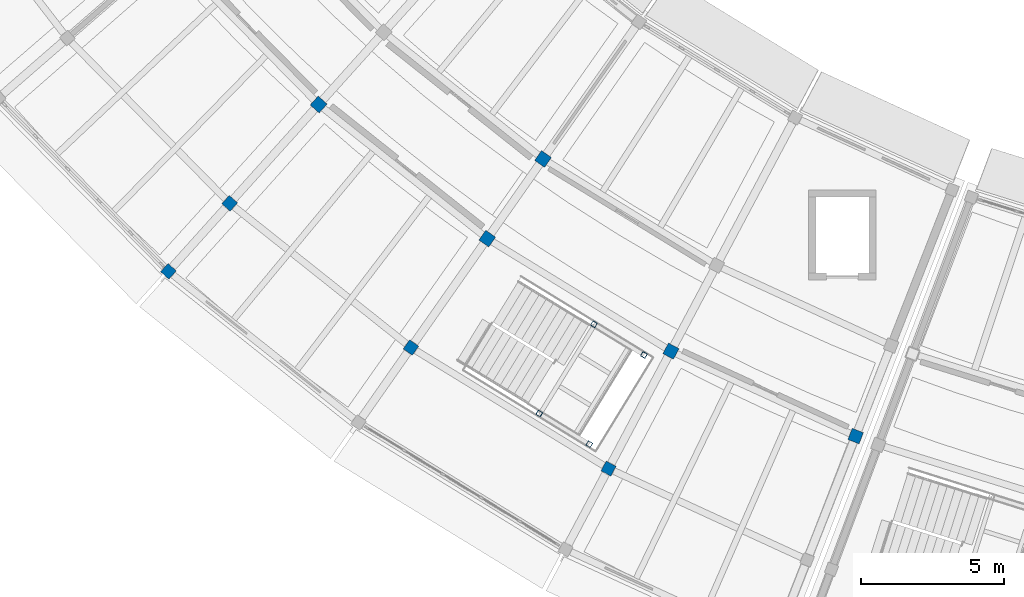
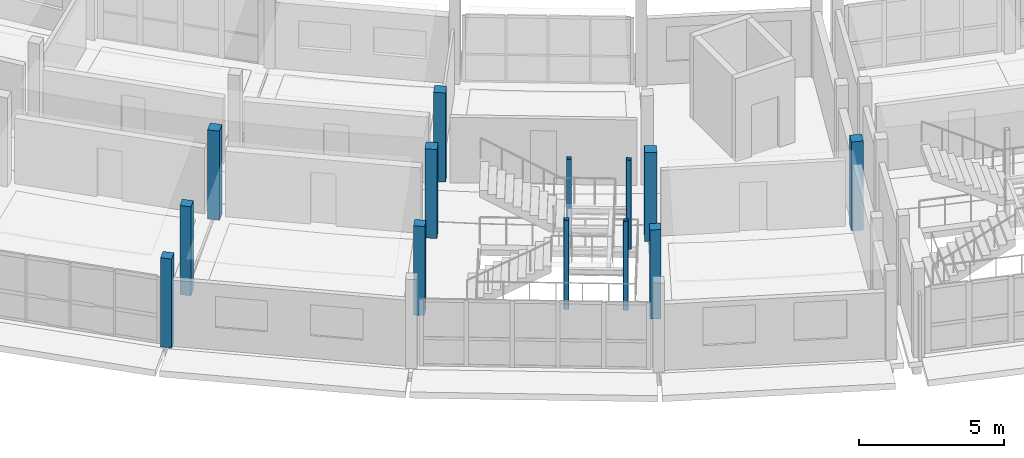
# One storey, part 5 of 77: 13 columns.
"""IFC4 building model written with IfcOpenShell, lengths in metres."""

from ifc_helpers import new_model, si_unit, direction, frame, origin, origin_2d, place, context, subcontext, project, spatial, rectangle, hollow_rectangle, extrude, material, material_profile, profile_set, type_object, element, save


model = new_model("IFC4")

# Units and contexts
model_context = context("Model", 3, precision=1e-05, world=origin(), true_north=direction((0.0, 1.0)))
body_context = subcontext(model_context, "Body", "Model", "MODEL_VIEW")
ifc_project = project(units=[si_unit("LENGTHUNIT", "METRE"), si_unit("AREAUNIT", "SQUARE_METRE"), si_unit("VOLUMEUNIT", "CUBIC_METRE"), si_unit("PLANEANGLEUNIT", "RADIAN"), si_unit("MASSUNIT", "GRAM", prefix="KILO")], contexts=[model_context])

# Site, building, storey
site_placement = place(None, origin())
site = spatial("IfcSite", under=ifc_project, at=site_placement, CompositionType="ELEMENT")
building_placement = place(site_placement, origin())
building = spatial("IfcBuilding", under=site, at=building_placement, Name="Caldaven Crescent School", CompositionType="ELEMENT")
storey_placement = place(building_placement, frame((0.0, 0.0, 4.419921875)))
storey = spatial("IfcBuildingStorey", under=building, at=storey_placement, Name="L01", CompositionType="ELEMENT", Elevation=4.419921875)

# Columns
ifc_material_1 = material(Name="Glulam MLE24h (GL28h)", Category="wood")
ifc_material_profile_1 = material_profile(ifc_material_1, rectangle(XDim=0.389892578125, YDim=0.389892578125, at=origin_2d()), Name="MLE 390x390")
ifc_profile_set_1 = profile_set([ifc_material_profile_1], Name="Glulam MLE24h (GL28h)")
column_type_1 = type_object("IfcColumnType", Name="COL-GL39", PredefinedType="COLUMN", material=ifc_profile_set_1)
for number, where, z_axis, x_axis, name in (
    (1, (43.603271484375, 46.6923828125, 0.0), (0.0, 0.0, 1.0), (-0.669130606359, -0.743144825477, 0.0), "COL-V4W-L01-02-3"),
    (2, (41.4619140625, 44.314208984375, 0.0), (0.0, 0.0, 1.0), (-0.669130606359, -0.743144825477, 0.0), "COL-V4W-L01-02-4"),
    (3, (49.943115234375, 41.649169921875, 0.0), (0.0, 0.0, 1.0), (-0.573576436351, -0.819152044289, 0.0), "COL-V4W-L01-03-3"),
    (4, (56.8505859375, 37.41650390625, 0.0), (0.0, 0.0, 1.0), (-0.469471562786, -0.882947592859, 0.0), "COL-V4W-L01-04-3"),
):
    element("IfcColumn", number, at=place(storey_placement, frame(where, z_axis=z_axis, x_axis=x_axis)), inside=storey, type_object=column_type_1, Name=name, PredefinedType="COLUMN", context=body_context, shape_type="SweptSolid", body=[
        extrude(rectangle(XDim=0.389892578125, YDim=0.389892578125, at=origin_2d()), origin(), (0.0, 0.0, 1.0), 3.739990234375),
    ])
ifc_material_profile_2 = material_profile(ifc_material_1, rectangle(XDim=0.419921875, YDim=0.419921875, at=origin_2d()), Name="MLE 420x420")
ifc_profile_set_2 = profile_set([ifc_material_profile_2], Name="Glulam MLE24h (GL28h)")
column_type_2 = type_object("IfcColumnType", Name="COL-GL42", PredefinedType="COLUMN", material=ifc_profile_set_2)
for number, where, z_axis, x_axis, name in (
    (5, (46.714599609375, 50.14794921875, 0.0), (0.0, 0.0, 1.0), (-0.669130606359, -0.743144825477, 0.0), "COL-V4W-L01-02-2"),
    (6, (54.560546875, 48.243408203125, 0.0), (0.0, 0.0, 1.0), (-0.573576436351, -0.819152044289, 0.0), "COL-V4W-L01-03-1"),
    (7, (52.6103515625, 45.458251953125, 0.0), (0.0, 0.0, 1.0), (-0.573576436351, -0.819152044289, 0.0), "COL-V4W-L01-03-2"),
    (8, (59.03369140625, 41.522216796875, 0.0), (0.0, 0.0, 1.0), (-0.469471562786, -0.882947592859, 0.0), "COL-V4W-L01-04-2"),
    (9, (65.49267578125, 38.5517578125, 0.0), (0.0, 0.0, 1.0), (-0.364714278886, -0.931119484694, 0.0), "COL-V4W-L01-05-2"),
):
    element("IfcColumn", number, at=place(storey_placement, frame(where, z_axis=z_axis, x_axis=x_axis)), inside=storey, type_object=column_type_2, Name=name, PredefinedType="COLUMN", context=body_context, shape_type="SweptSolid", body=[
        extrude(rectangle(XDim=0.419921875, YDim=0.419921875, at=origin_2d()), origin(), (0.0, 0.0, 1.0), 3.739990234375),
    ])
ifc_material_2 = material(Name="Steel ASTM A572 Grade 50", Category="steel")
ifc_material_profile_3 = material_profile(ifc_material_2, hollow_rectangle(XDim=0.179931640625, YDim=0.179931640625, WallThickness=0.010009765625, InnerFilletRadius=0.010009765625, OuterFilletRadius=0.02001953125, at=origin_2d()), Name="HSS 180x180x10")
ifc_profile_set_3 = profile_set([ifc_material_profile_3], Name="Steel ASTM A572 Grade 50")
column_type_3 = type_object("IfcColumnType", Name="COL-HS18", PredefinedType="COLUMN", material=ifc_profile_set_3)
for number, where, z_axis, x_axis, name in (
    (10, (54.428955078125, 39.341552734375, 0.0), (0.0, 0.0, 1.0), (0.852640164354, -0.522498564716, 0.0), "COL-STPOST-ST1-L01-A"),
    (11, (56.34130859375, 42.462158203125, 0.0), (0.0, 0.0, 1.0), (0.852640164354, -0.522498564716, 0.0), "COL-STPOST-ST1-L01-B"),
    (12, (56.177001953125, 38.2705078125, 0.0), (0.0, 0.0, 1.0), (0.852640164354, -0.522498564716, 0.0), "COL-STPOST-ST1-L01-C"),
    (13, (58.08935546875, 41.39111328125, 0.0), (0.0, 0.0, 1.0), (0.852640164354, -0.522498564716, 0.0), "COL-STPOST-ST1-L01-D"),
):
    element("IfcColumn", number, at=place(storey_placement, frame(where, z_axis=z_axis, x_axis=x_axis)), inside=storey, type_object=column_type_3, Name=name, PredefinedType="COLUMN", context=body_context, shape_type="SweptSolid", body=[
        extrude(hollow_rectangle(XDim=0.179931640625, YDim=0.179931640625, WallThickness=0.010009765625, InnerFilletRadius=0.010009765625, OuterFilletRadius=0.02001953125, at=origin_2d()), origin(), (0.0, 0.0, 1.0), 3.739990234375),
    ])

save(model, "model.ifc")
